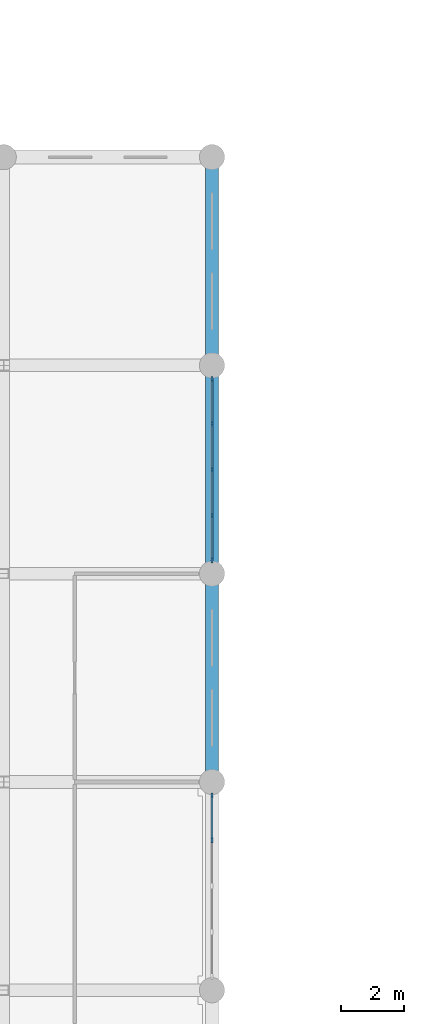
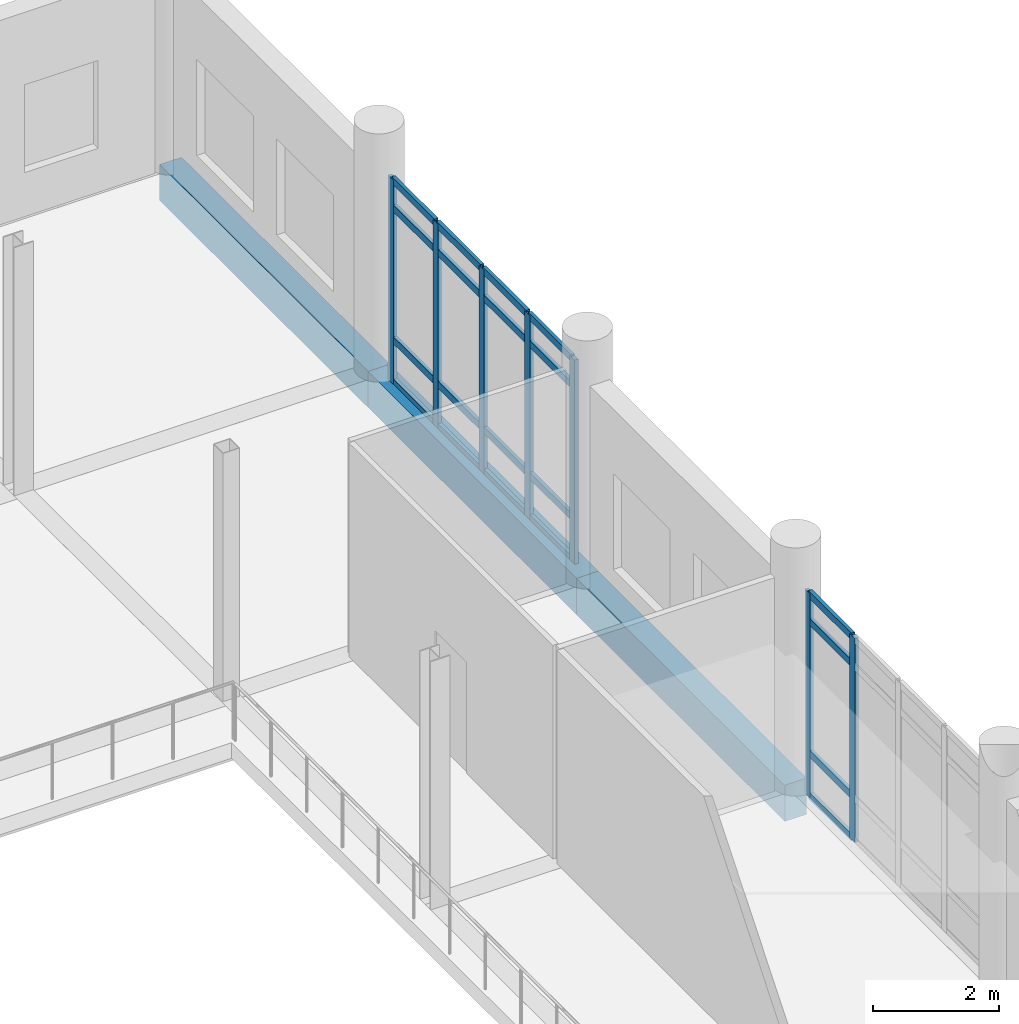
# One storey, part 37 of 125: 27 members, 3 beams, 2 elements without a shape of their own.
"""IFC4 building model written with IfcOpenShell, lengths in metres."""

import ifcopenshell
import ifcopenshell.guid

model = None  # the IFC model being written
_history = None  # IfcOwnerHistory: only IFC2X3 demands one
_inside = {}  # id of a spatial element -> (the spatial element, [elements in it])
_under = {}  # id of a project, library or spatial element -> (it, [spatial elements below it])
_declared = {}  # id of a project -> (the project, [libraries it declares])
_typed = {}  # id of a type object -> (the type object, [elements of that type])
_made_of = {}  # id of a material, layer set ... -> (it, [elements and type objects made of it])


def new_model(schema):
    """Start an empty IFC model of exactly this schema.

    Asked for "IFC4X3", IfcOpenShell would pick the latest addendum, in which some entities
    have other attributes; the version numbers below select the first issue.
    IFC2X3 requires an IfcOwnerHistory on every rooted entity: one is made here for all.
    """
    global model, _history
    if schema == "IFC4X3":
        model = ifcopenshell.file(schema_version=(4, 3, 0, 0))
    else:
        model = ifcopenshell.file(schema=schema)
    _inside.clear()
    _under.clear()
    _declared.clear()
    _typed.clear()
    _made_of.clear()
    _history = None
    if model.schema == "IFC2X3":
        org = make("IfcOrganization", Name="unknown")
        user = make(
            "IfcPersonAndOrganization",
            ThePerson=make("IfcPerson", FamilyName="unknown"),
            TheOrganization=org,
        )
        app = make(
            "IfcApplication",
            ApplicationDeveloper=org,
            Version="unknown",
            ApplicationFullName="unknown",
            ApplicationIdentifier="unknown",
        )
        _history = make(
            "IfcOwnerHistory",
            OwningUser=user,
            OwningApplication=app,
            ChangeAction="ADDED",
            CreationDate=0,
        )
    return model


def make(cls, **values):
    """One entity of the class cls with the attributes given. An attribute that is None is left unset."""
    return model.create_entity(
        cls, **{name: value for name, value in values.items() if value is not None}
    )


def rooted(cls, **values):
    """An entity with a GlobalId (a new one), such as an element, a storey or a relation."""
    return make(cls, GlobalId=ifcopenshell.guid.new(), OwnerHistory=_history, **values)


def si_unit(unit_type, name, prefix=None):
    """IfcSIUnit, for example si_unit("LENGTHUNIT", "METRE", prefix="MILLI")."""
    return make("IfcSIUnit", UnitType=unit_type, Prefix=prefix, Name=name)


def assignment(units):
    """IfcUnitAssignment: the units of a project."""
    return None if units is None else make("IfcUnitAssignment", Units=units)


def point(xyz):
    """IfcCartesianPoint."""
    return None if xyz is None else make("IfcCartesianPoint", Coordinates=xyz)


def direction(xyz):
    """IfcDirection."""
    return None if xyz is None else make("IfcDirection", DirectionRatios=xyz)


def frame(location, z_axis=None, x_axis=None):
    """IfcAxis2Placement3D, a coordinate frame: its origin and axes. An axis left out is left unset."""
    return make(
        "IfcAxis2Placement3D",
        Location=point(location),
        Axis=direction(z_axis),
        RefDirection=direction(x_axis),
    )


def frame_2d(location, x_axis=None):
    """IfcAxis2Placement2D, a coordinate frame in the plane: its origin and x axis."""
    return make(
        "IfcAxis2Placement2D", Location=point(location), RefDirection=direction(x_axis)
    )


def origin():
    """The frame at (0, 0, 0) with its axes left unset."""
    return frame((0.0, 0.0, 0.0))


def origin_2d():
    """The frame at (0, 0) in the plane with its x axis left unset."""
    return frame_2d((0.0, 0.0))


def place(relative_to, where):
    """IfcLocalPlacement: puts the frame where relative to a parent placement (None: the world)."""
    return make(
        "IfcLocalPlacement", PlacementRelTo=relative_to, RelativePlacement=where
    )


def context(
    kind, dimensions, precision=None, world=None, true_north=None, identifier=None
):
    """IfcGeometricRepresentationContext, for example the 3D "Model" context."""
    return make(
        "IfcGeometricRepresentationContext",
        ContextIdentifier=identifier,
        ContextType=kind,
        CoordinateSpaceDimension=dimensions,
        Precision=precision,
        WorldCoordinateSystem=world,
        TrueNorth=true_north,
    )


def subcontext(parent, identifier, kind, view, scale=None):
    """IfcGeometricRepresentationSubContext, for example "Body" below "Model"."""
    return make(
        "IfcGeometricRepresentationSubContext",
        ContextIdentifier=identifier,
        ContextType=kind,
        ParentContext=parent,
        TargetScale=scale,
        TargetView=view,
    )


def project(units=None, contexts=None):
    """IfcProject with its units and contexts."""
    return rooted(
        "IfcProject",
        Name="project",
        RepresentationContexts=contexts,
        UnitsInContext=assignment(units),
    )


def spatial(cls, under=None, at=None, **own):
    """A site, building, storey or space (cls), placed at a placement, below another one or the project."""
    s = rooted(cls, ObjectPlacement=at, **own)
    if under is not None:
        _under.setdefault(under.id(), (under, []))[1].append(s)
    return s


def profile(cls, at=None, kind="AREA", **sizes):
    """A parametric profile (cls). Its sizes go by their IFC names, for example OverallWidth=200.0."""
    return make(cls, ProfileType=kind, Position=at, **sizes)


def rectangle(**sizes):
    """IfcRectangleProfileDef."""
    return profile("IfcRectangleProfileDef", **sizes)


def extrude(swept, where, along, depth):
    """IfcExtrudedAreaSolid: the profile swept, set in the frame where, extruded along a direction by depth."""
    return make(
        "IfcExtrudedAreaSolid",
        SweptArea=swept,
        Position=where,
        ExtrudedDirection=direction(along),
        Depth=depth,
    )


def shape(context_of_items, identifier, shape_type, items):
    """IfcShapeRepresentation: the items that make up one representation, for example the "Body"."""
    return make(
        "IfcShapeRepresentation",
        ContextOfItems=context_of_items,
        RepresentationIdentifier=identifier,
        RepresentationType=shape_type,
        Items=items,
    )


def material(Name=None, Category=None):
    """IfcMaterial."""
    return make("IfcMaterial", Name=Name, Category=Category)


def material_profile(
    of_material, cross_section, Name=None, Category=None, Priority=None
):
    """IfcMaterialProfile: a cross section and its material."""
    return make(
        "IfcMaterialProfile",
        Name=Name,
        Material=of_material,
        Profile=cross_section,
        Priority=Priority,
        Category=Category,
    )


def profile_set(profiles, Name=None, composite=None):
    """IfcMaterialProfileSet."""
    return make(
        "IfcMaterialProfileSet",
        Name=Name,
        MaterialProfiles=profiles,
        CompositeProfile=composite,
    )


def made_of(thing, what):
    """Note that an element or type object is made of a material, layer set ...; save() writes the relation."""
    if what is not None:
        _made_of.setdefault(what.id(), (what, []))[1].append(thing)
    return thing


def type_object(cls, material=None, **own):
    """A type object (cls), such as IfcWallType, which elements share."""
    return made_of(rooted(cls, **own), material)


def element(
    cls,
    number,
    at=None,
    inside=None,
    cuts=None,
    type_object=None,
    material=None,
    context=None,
    identifier="Body",
    shape_type=None,
    held_by="IfcProductDefinitionShape",
    body=None,
    shapes=None,
    **own,
):
    """One element of the class cls, such as IfcWall. Its Tag is "e" and its number.

    at: its placement. inside: the storey or other place that contains it. cuts: it is an
    opening in that element (IfcRelVoidsElement). A single representation is given by context,
    identifier, shape_type and body (its items); several are given by shapes. held_by: the class
    of the entity that holds the representations. save() writes the other relations.
    """
    e = rooted(cls, Tag="e%d" % number, ObjectPlacement=at, **own)
    if body is not None:
        shapes = [shape(context, identifier, shape_type, body)]
    if shapes is not None:
        e.Representation = make(held_by, Representations=shapes)
    if inside is not None:
        _inside.setdefault(inside.id(), (inside, []))[1].append(e)
    if cuts is not None:
        rooted(
            "IfcRelVoidsElement", RelatingBuildingElement=cuts, RelatedOpeningElement=e
        )
    if type_object is not None:
        _typed.setdefault(type_object.id(), (type_object, []))[1].append(e)
    return made_of(e, material)


def aggregate(whole, parts):
    """IfcRelAggregates: a whole, such as a stair, and the parts it consists of."""
    return rooted("IfcRelAggregates", RelatingObject=whole, RelatedObjects=parts)


def save(model, path):
    """Write the relations noted so far, then the file.

    IfcRelAggregates (storeys below a building ...), IfcRelContainedInSpatialStructure (elements
    in a storey), IfcRelDefinesByType, IfcRelAssociatesMaterial and IfcRelDeclares: one each for
    every whole, place, type object, material and project.
    """
    for whole, parts in _under.values():
        aggregate(whole, parts)
    for where, things in _inside.values():
        rooted(
            "IfcRelContainedInSpatialStructure",
            RelatedElements=things,
            RelatingStructure=where,
        )
    for kind, things in _typed.values():
        rooted("IfcRelDefinesByType", RelatedObjects=things, RelatingType=kind)
    for what, things in _made_of.values():
        rooted("IfcRelAssociatesMaterial", RelatedObjects=things, RelatingMaterial=what)
    for by, libraries in _declared.values():
        rooted("IfcRelDeclares", RelatingContext=by, RelatedDefinitions=libraries)
    model.write(path)


model = new_model("IFC4")

# Units and contexts
model_context = context("Model", 3, precision=1e-05, world=origin(), true_north=direction((0.0, 1.0)))
body_context = subcontext(model_context, "Body", "Model", "MODEL_VIEW")
ifc_project = project(units=[si_unit("LENGTHUNIT", "METRE"), si_unit("AREAUNIT", "SQUARE_METRE"), si_unit("VOLUMEUNIT", "CUBIC_METRE"), si_unit("PLANEANGLEUNIT", "RADIAN"), si_unit("MASSUNIT", "GRAM", prefix="KILO")], contexts=[model_context])

# Site, building, storey
site_placement = place(None, origin())
site = spatial("IfcSite", under=ifc_project, at=site_placement, CompositionType="ELEMENT")
building_placement = place(site_placement, origin())
building = spatial("IfcBuilding", under=site, at=building_placement, Name="Dornvale Research Institute", CompositionType="ELEMENT")
storey_placement = place(building_placement, frame((0.0, 0.0, 5.39990234375)))
storey = spatial("IfcBuildingStorey", under=building, at=storey_placement, Name="L01", CompositionType="ELEMENT", Elevation=5.39990234375)

# Curtain wall, members
ifc_material_1 = material(Name="Low-E Argon Double Insulating Glazing Unit", Category="glass")
curtain_wall_type = type_object("IfcCurtainWallType", Name="UnitisedCurtainWall_V2_5810x3950", PredefinedType="USERDEFINED", material=ifc_material_1)
curtain_wall_1_placement = place(storey_placement, origin())
curtain_wall_1 = element("IfcCurtainWall", 1, at=curtain_wall_1_placement, inside=storey, type_object=curtain_wall_type, Name="L01 V2 unitised curtain wall CW-02 #7", ObjectType="UNITISED CURTAIN WALL", PredefinedType="USERDEFINED")
ifc_material_2 = material(Name="Anodized Aluminum AA 6063-T6 Thermally Broken Frame", Category="aluminium")
ifc_material_profile_1 = material_profile(ifc_material_2, rectangle(XDim=0.06494140625, YDim=0.1650390625, at=origin_2d()), Name="ALU MULLION 65x165")
ifc_profile_set_1 = profile_set([ifc_material_profile_1], Name="Anodized Aluminum AA 6063-T6 Thermally Broken Frame")
member_type_1 = type_object("IfcMemberType", Name="Mullion_Atrium_65x165", PredefinedType="MULLION", material=ifc_profile_set_1)
member_1_placement = place(storey_placement, frame((66.0, 78.7724609375, 0.0), z_axis=(0.0, 0.0, 1.0), x_axis=(1.0, 0.0, 0.0)))
member_1 = element("IfcMember", 2, at=member_1_placement, type_object=member_type_1, Name="CW-02 mullion 1", PredefinedType="MULLION", context=body_context, shape_type="SweptSolid", body=[
    extrude(rectangle(XDim=0.06494140625, YDim=0.1650390625, at=origin_2d()), origin(), (0.0, 0.0, 1.0), 3.9501953125),
])
member_2_placement = place(storey_placement, frame((66.0, 77.3525390625, 0.0), z_axis=(0.0, 0.0, 1.0), x_axis=(1.0, 0.0, 0.0)))
member_2 = element("IfcMember", 3, at=member_2_placement, type_object=member_type_1, Name="CW-02 mullion 2", PredefinedType="MULLION", context=body_context, shape_type="SweptSolid", body=[
    extrude(rectangle(XDim=0.06494140625, YDim=0.1650390625, at=origin_2d()), origin(), (0.0, 0.0, 1.0), 3.9501953125),
])
member_3_placement = place(storey_placement, frame((66.0, 75.89990234375, 0.0), z_axis=(0.0, 0.0, 1.0), x_axis=(1.0, 0.0, 0.0)))
member_3 = element("IfcMember", 4, at=member_3_placement, type_object=member_type_1, Name="CW-02 mullion 3", PredefinedType="MULLION", context=body_context, shape_type="SweptSolid", body=[
    extrude(rectangle(XDim=0.06494140625, YDim=0.1650390625, at=origin_2d()), origin(), (0.0, 0.0, 1.0), 3.9501953125),
])
member_4_placement = place(storey_placement, frame((66.0, 74.447509765625, 0.0), z_axis=(0.0, 0.0, 1.0), x_axis=(1.0, 0.0, 0.0)))
member_4 = element("IfcMember", 5, at=member_4_placement, type_object=member_type_1, Name="CW-02 mullion 4", PredefinedType="MULLION", context=body_context, shape_type="SweptSolid", body=[
    extrude(rectangle(XDim=0.06494140625, YDim=0.1650390625, at=origin_2d()), origin(), (0.0, 0.0, 1.0), 3.9501953125),
])
member_5_placement = place(storey_placement, frame((66.0, 73.027587890625, 0.0), z_axis=(0.0, 0.0, 1.0), x_axis=(1.0, 0.0, 0.0)))
member_5 = element("IfcMember", 6, at=member_5_placement, type_object=member_type_1, Name="CW-02 mullion 5", PredefinedType="MULLION", context=body_context, shape_type="SweptSolid", body=[
    extrude(rectangle(XDim=0.06494140625, YDim=0.1650390625, at=origin_2d()), origin(), (0.0, 0.0, 1.0), 3.9501953125),
])

curtain_wall_2_placement = place(storey_placement, origin())
curtain_wall_2 = element("IfcCurtainWall", 7, at=curtain_wall_2_placement, inside=storey, type_object=curtain_wall_type, Name="L01 V2 unitised curtain wall CW-02 #8", ObjectType="UNITISED CURTAIN WALL", PredefinedType="USERDEFINED")
member_6_placement = place(storey_placement, frame((66.0, 65.572509765625, 0.0), z_axis=(0.0, 0.0, 1.0), x_axis=(1.0, 0.0, 0.0)))
member_6 = element("IfcMember", 8, at=member_6_placement, type_object=member_type_1, Name="CW-02 mullion 1", PredefinedType="MULLION", context=body_context, shape_type="SweptSolid", body=[
    extrude(rectangle(XDim=0.06494140625, YDim=0.1650390625, at=origin_2d()), origin(), (0.0, 0.0, 1.0), 3.9501953125),
])
member_7_placement = place(storey_placement, frame((66.0, 64.152587890625, 0.0), z_axis=(0.0, 0.0, 1.0), x_axis=(1.0, 0.0, 0.0)))
member_7 = element("IfcMember", 9, at=member_7_placement, type_object=member_type_1, Name="CW-02 mullion 2", PredefinedType="MULLION", context=body_context, shape_type="SweptSolid", body=[
    extrude(rectangle(XDim=0.06494140625, YDim=0.1650390625, at=origin_2d()), origin(), (0.0, 0.0, 1.0), 3.9501953125),
])

# Beams
ifc_material_3 = material(Name="Concrete f'c 45 MPa (C35/45)", Category="concrete")
ifc_material_profile_2 = material_profile(ifc_material_3, rectangle(XDim=0.39990234375, YDim=0.699951171875, at=origin_2d()), Name="RC 400x700")
ifc_profile_set_2 = profile_set([ifc_material_profile_2], Name="Concrete f'c 45 MPa (C35/45)")
beam_type = type_object("IfcBeamType", Name="Spandrel_RC400x700_Ext", PredefinedType="SPANDREL", material=ifc_profile_set_2)
beam_1_placement = place(storey_placement, frame((66.0, 66.0, -0.349853515625), z_axis=(0.0, 1.0, 0.0), x_axis=(-1.0, 0.0, 0.0)))
element("IfcBeam", 10, at=beam_1_placement, inside=storey, type_object=beam_type, Name="L01 perimeter spandrel #549", PredefinedType="SPANDREL", context=body_context, shape_type="SweptSolid", body=[
    extrude(rectangle(XDim=0.39990234375, YDim=0.699951171875, at=origin_2d()), origin(), (0.0, 0.0, 1.0), 6.60009765625),
])
beam_2_placement = place(storey_placement, frame((66.0, 72.60009765625, -0.349853515625), z_axis=(0.0, 1.0, 0.0), x_axis=(-1.0, 0.0, 0.0)))
element("IfcBeam", 11, at=beam_2_placement, inside=storey, type_object=beam_type, Name="L01 perimeter spandrel #550", PredefinedType="SPANDREL", context=body_context, shape_type="SweptSolid", body=[
    extrude(rectangle(XDim=0.39990234375, YDim=0.699951171875, at=origin_2d()), origin(), (0.0, 0.0, 1.0), 6.599853515625),
])
beam_3_placement = place(storey_placement, frame((66.0, 79.199951171875, -0.349853515625), z_axis=(0.0, 1.0, 0.0), x_axis=(-1.0, 0.0, 0.0)))
element("IfcBeam", 12, at=beam_3_placement, inside=storey, type_object=beam_type, Name="L01 perimeter spandrel #551", PredefinedType="SPANDREL", context=body_context, shape_type="SweptSolid", body=[
    extrude(rectangle(XDim=0.39990234375, YDim=0.699951171875, at=origin_2d()), origin(), (0.0, 0.0, 1.0), 6.60009765625),
])

# Member
ifc_material_4 = material(Name="Anodized Aluminum AA 6063-T6 Thermally Broken Frame", Category="aluminium")
ifc_material_profile_3 = material_profile(ifc_material_4, rectangle(XDim=0.06494140625, YDim=0.135009765625, at=origin_2d()), Name="ALU TRANSOM 65x135")
ifc_profile_set_3 = profile_set([ifc_material_profile_3], Name="Anodized Aluminum AA 6063-T6 Thermally Broken Frame")
member_type_2 = type_object("IfcMemberType", Name="Transom_CW_65x135", PredefinedType="USERDEFINED", material=ifc_profile_set_3)
member_8_placement = place(storey_placement, frame((66.0, 78.739990234375, 0.03271484375), z_axis=(0.0, -1.0, 0.0), x_axis=(1.0, 0.0, 0.0)))
member_8 = element("IfcMember", 13, at=member_8_placement, type_object=member_type_2, Name="CW-02 transom 1.1", ObjectType="TRANSOM", PredefinedType="USERDEFINED", context=body_context, shape_type="SweptSolid", body=[
    extrude(rectangle(XDim=0.06494140625, YDim=0.135009765625, at=origin_2d()), origin(), (0.0, 0.0, 1.0), 1.35498046875),
])

member_9_placement = place(storey_placement, frame((66.0, 78.739990234375, 0.85009765625), z_axis=(0.0, -1.0, 0.0), x_axis=(1.0, 0.0, 0.0)))
member_9 = element("IfcMember", 14, at=member_9_placement, type_object=member_type_2, Name="CW-02 transom 1.2", ObjectType="TRANSOM", PredefinedType="USERDEFINED", context=body_context, shape_type="SweptSolid", body=[
    extrude(rectangle(XDim=0.06494140625, YDim=0.135009765625, at=origin_2d()), origin(), (0.0, 0.0, 1.0), 1.35498046875),
])

member_10_placement = place(storey_placement, frame((66.0, 78.739990234375, 3.400146484375), z_axis=(0.0, -1.0, 0.0), x_axis=(1.0, 0.0, 0.0)))
member_10 = element("IfcMember", 15, at=member_10_placement, type_object=member_type_2, Name="CW-02 transom 1.3", ObjectType="TRANSOM", PredefinedType="USERDEFINED", context=body_context, shape_type="SweptSolid", body=[
    extrude(rectangle(XDim=0.06494140625, YDim=0.135009765625, at=origin_2d()), origin(), (0.0, 0.0, 1.0), 1.35498046875),
])

member_11_placement = place(storey_placement, frame((66.0, 78.739990234375, 3.91748046875), z_axis=(0.0, -1.0, 0.0), x_axis=(1.0, 0.0, 0.0)))
member_11 = element("IfcMember", 16, at=member_11_placement, type_object=member_type_2, Name="CW-02 transom 1.4", ObjectType="TRANSOM", PredefinedType="USERDEFINED", context=body_context, shape_type="SweptSolid", body=[
    extrude(rectangle(XDim=0.06494140625, YDim=0.135009765625, at=origin_2d()), origin(), (0.0, 0.0, 1.0), 1.35498046875),
])

member_12_placement = place(storey_placement, frame((66.0, 77.320068359375, 0.03271484375), z_axis=(0.0, -1.0, 0.0), x_axis=(1.0, 0.0, 0.0)))
member_12 = element("IfcMember", 17, at=member_12_placement, type_object=member_type_2, Name="CW-02 transom 2.1", ObjectType="TRANSOM", PredefinedType="USERDEFINED", context=body_context, shape_type="SweptSolid", body=[
    extrude(rectangle(XDim=0.06494140625, YDim=0.135009765625, at=origin_2d()), origin(), (0.0, 0.0, 1.0), 1.387451171875),
])

member_13_placement = place(storey_placement, frame((66.0, 77.320068359375, 0.85009765625), z_axis=(0.0, -1.0, 0.0), x_axis=(1.0, 0.0, 0.0)))
member_13 = element("IfcMember", 18, at=member_13_placement, type_object=member_type_2, Name="CW-02 transom 2.2", ObjectType="TRANSOM", PredefinedType="USERDEFINED", context=body_context, shape_type="SweptSolid", body=[
    extrude(rectangle(XDim=0.06494140625, YDim=0.135009765625, at=origin_2d()), origin(), (0.0, 0.0, 1.0), 1.387451171875),
])

member_14_placement = place(storey_placement, frame((66.0, 77.320068359375, 3.400146484375), z_axis=(0.0, -1.0, 0.0), x_axis=(1.0, 0.0, 0.0)))
member_14 = element("IfcMember", 19, at=member_14_placement, type_object=member_type_2, Name="CW-02 transom 2.3", ObjectType="TRANSOM", PredefinedType="USERDEFINED", context=body_context, shape_type="SweptSolid", body=[
    extrude(rectangle(XDim=0.06494140625, YDim=0.135009765625, at=origin_2d()), origin(), (0.0, 0.0, 1.0), 1.387451171875),
])

member_15_placement = place(storey_placement, frame((66.0, 77.320068359375, 3.91748046875), z_axis=(0.0, -1.0, 0.0), x_axis=(1.0, 0.0, 0.0)))
member_15 = element("IfcMember", 20, at=member_15_placement, type_object=member_type_2, Name="CW-02 transom 2.4", ObjectType="TRANSOM", PredefinedType="USERDEFINED", context=body_context, shape_type="SweptSolid", body=[
    extrude(rectangle(XDim=0.06494140625, YDim=0.135009765625, at=origin_2d()), origin(), (0.0, 0.0, 1.0), 1.387451171875),
])

member_16_placement = place(storey_placement, frame((66.0, 75.867431640625, 0.03271484375), z_axis=(0.0, -1.0, 0.0), x_axis=(1.0, 0.0, 0.0)))
member_16 = element("IfcMember", 21, at=member_16_placement, type_object=member_type_2, Name="CW-02 transom 3.1", ObjectType="TRANSOM", PredefinedType="USERDEFINED", context=body_context, shape_type="SweptSolid", body=[
    extrude(rectangle(XDim=0.06494140625, YDim=0.135009765625, at=origin_2d()), origin(), (0.0, 0.0, 1.0), 1.387451171875),
])

member_17_placement = place(storey_placement, frame((66.0, 75.867431640625, 0.85009765625), z_axis=(0.0, -1.0, 0.0), x_axis=(1.0, 0.0, 0.0)))
member_17 = element("IfcMember", 22, at=member_17_placement, type_object=member_type_2, Name="CW-02 transom 3.2", ObjectType="TRANSOM", PredefinedType="USERDEFINED", context=body_context, shape_type="SweptSolid", body=[
    extrude(rectangle(XDim=0.06494140625, YDim=0.135009765625, at=origin_2d()), origin(), (0.0, 0.0, 1.0), 1.387451171875),
])

member_18_placement = place(storey_placement, frame((66.0, 75.867431640625, 3.400146484375), z_axis=(0.0, -1.0, 0.0), x_axis=(1.0, 0.0, 0.0)))
member_18 = element("IfcMember", 23, at=member_18_placement, type_object=member_type_2, Name="CW-02 transom 3.3", ObjectType="TRANSOM", PredefinedType="USERDEFINED", context=body_context, shape_type="SweptSolid", body=[
    extrude(rectangle(XDim=0.06494140625, YDim=0.135009765625, at=origin_2d()), origin(), (0.0, 0.0, 1.0), 1.387451171875),
])

member_19_placement = place(storey_placement, frame((66.0, 75.867431640625, 3.91748046875), z_axis=(0.0, -1.0, 0.0), x_axis=(1.0, 0.0, 0.0)))
member_19 = element("IfcMember", 24, at=member_19_placement, type_object=member_type_2, Name="CW-02 transom 3.4", ObjectType="TRANSOM", PredefinedType="USERDEFINED", context=body_context, shape_type="SweptSolid", body=[
    extrude(rectangle(XDim=0.06494140625, YDim=0.135009765625, at=origin_2d()), origin(), (0.0, 0.0, 1.0), 1.387451171875),
])

member_20_placement = place(storey_placement, frame((66.0, 74.4150390625, 0.03271484375), z_axis=(0.0, -1.0, 0.0), x_axis=(1.0, 0.0, 0.0)))
member_20 = element("IfcMember", 25, at=member_20_placement, type_object=member_type_2, Name="CW-02 transom 4.1", ObjectType="TRANSOM", PredefinedType="USERDEFINED", context=body_context, shape_type="SweptSolid", body=[
    extrude(rectangle(XDim=0.06494140625, YDim=0.135009765625, at=origin_2d()), origin(), (0.0, 0.0, 1.0), 1.35498046875),
])

member_21_placement = place(storey_placement, frame((66.0, 74.4150390625, 0.85009765625), z_axis=(0.0, -1.0, 0.0), x_axis=(1.0, 0.0, 0.0)))
member_21 = element("IfcMember", 26, at=member_21_placement, type_object=member_type_2, Name="CW-02 transom 4.2", ObjectType="TRANSOM", PredefinedType="USERDEFINED", context=body_context, shape_type="SweptSolid", body=[
    extrude(rectangle(XDim=0.06494140625, YDim=0.135009765625, at=origin_2d()), origin(), (0.0, 0.0, 1.0), 1.35498046875),
])

member_22_placement = place(storey_placement, frame((66.0, 74.4150390625, 3.400146484375), z_axis=(0.0, -1.0, 0.0), x_axis=(1.0, 0.0, 0.0)))
member_22 = element("IfcMember", 27, at=member_22_placement, type_object=member_type_2, Name="CW-02 transom 4.3", ObjectType="TRANSOM", PredefinedType="USERDEFINED", context=body_context, shape_type="SweptSolid", body=[
    extrude(rectangle(XDim=0.06494140625, YDim=0.135009765625, at=origin_2d()), origin(), (0.0, 0.0, 1.0), 1.35498046875),
])

member_23_placement = place(storey_placement, frame((66.0, 74.4150390625, 3.91748046875), z_axis=(0.0, -1.0, 0.0), x_axis=(1.0, 0.0, 0.0)))
member_23 = element("IfcMember", 28, at=member_23_placement, type_object=member_type_2, Name="CW-02 transom 4.4", ObjectType="TRANSOM", PredefinedType="USERDEFINED", context=body_context, shape_type="SweptSolid", body=[
    extrude(rectangle(XDim=0.06494140625, YDim=0.135009765625, at=origin_2d()), origin(), (0.0, 0.0, 1.0), 1.35498046875),
])

aggregate(curtain_wall_1, [member_1, member_2, member_3, member_4, member_5, member_8, member_9, member_10, member_11, member_12, member_13, member_14, member_15, member_16, member_17, member_18, member_19, member_20, member_21, member_22, member_23])

member_24_placement = place(storey_placement, frame((66.0, 65.5400390625, 0.03271484375), z_axis=(0.0, -1.0, 0.0), x_axis=(1.0, 0.0, 0.0)))
member_24 = element("IfcMember", 29, at=member_24_placement, type_object=member_type_2, Name="CW-02 transom 1.1", ObjectType="TRANSOM", PredefinedType="USERDEFINED", context=body_context, shape_type="SweptSolid", body=[
    extrude(rectangle(XDim=0.06494140625, YDim=0.135009765625, at=origin_2d()), origin(), (0.0, 0.0, 1.0), 1.35498046875),
])

member_25_placement = place(storey_placement, frame((66.0, 65.5400390625, 0.85009765625), z_axis=(0.0, -1.0, 0.0), x_axis=(1.0, 0.0, 0.0)))
member_25 = element("IfcMember", 30, at=member_25_placement, type_object=member_type_2, Name="CW-02 transom 1.2", ObjectType="TRANSOM", PredefinedType="USERDEFINED", context=body_context, shape_type="SweptSolid", body=[
    extrude(rectangle(XDim=0.06494140625, YDim=0.135009765625, at=origin_2d()), origin(), (0.0, 0.0, 1.0), 1.35498046875),
])

member_26_placement = place(storey_placement, frame((66.0, 65.5400390625, 3.400146484375), z_axis=(0.0, -1.0, 0.0), x_axis=(1.0, 0.0, 0.0)))
member_26 = element("IfcMember", 31, at=member_26_placement, type_object=member_type_2, Name="CW-02 transom 1.3", ObjectType="TRANSOM", PredefinedType="USERDEFINED", context=body_context, shape_type="SweptSolid", body=[
    extrude(rectangle(XDim=0.06494140625, YDim=0.135009765625, at=origin_2d()), origin(), (0.0, 0.0, 1.0), 1.35498046875),
])

member_27_placement = place(storey_placement, frame((66.0, 65.5400390625, 3.91748046875), z_axis=(0.0, -1.0, 0.0), x_axis=(1.0, 0.0, 0.0)))
member_27 = element("IfcMember", 32, at=member_27_placement, type_object=member_type_2, Name="CW-02 transom 1.4", ObjectType="TRANSOM", PredefinedType="USERDEFINED", context=body_context, shape_type="SweptSolid", body=[
    extrude(rectangle(XDim=0.06494140625, YDim=0.135009765625, at=origin_2d()), origin(), (0.0, 0.0, 1.0), 1.35498046875),
])

aggregate(curtain_wall_2, [member_6, member_7, member_24, member_25, member_26, member_27])

save(model, "model.ifc")
